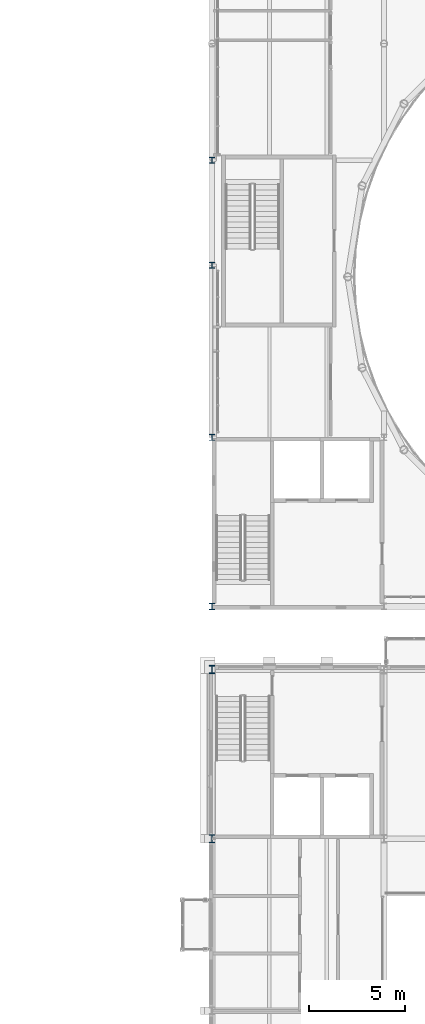
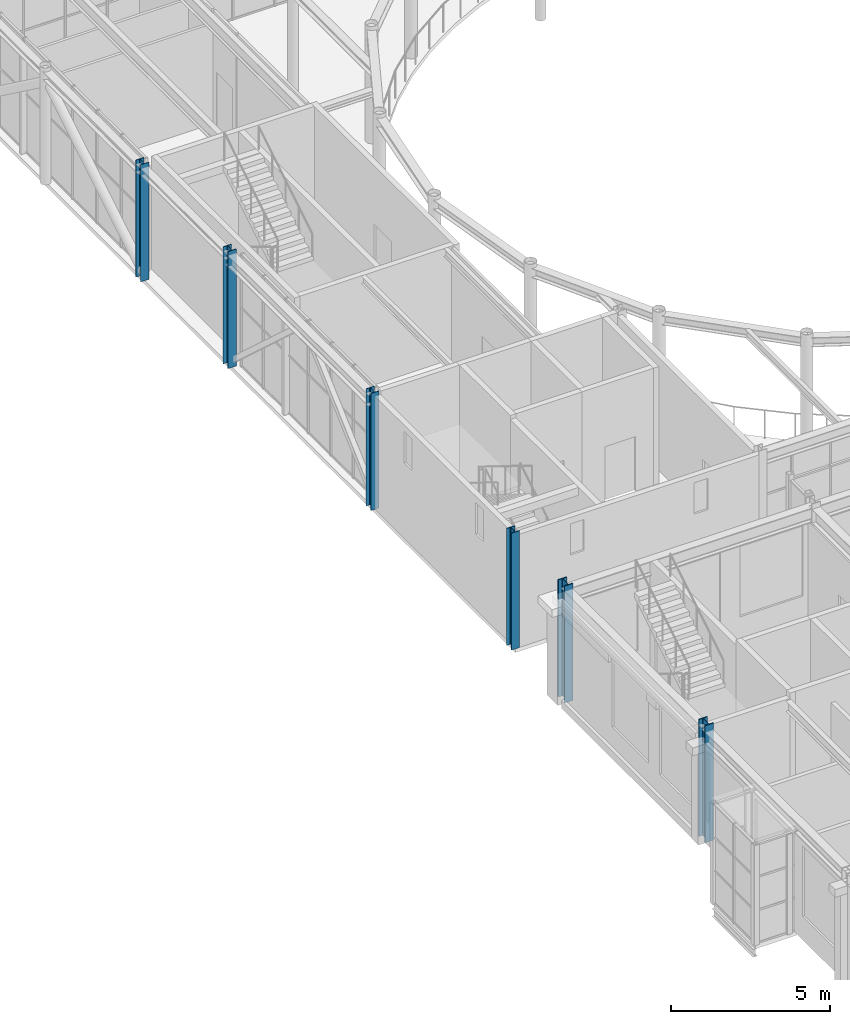
# One storey, part 6 of 111: 6 columns.
"""IFC4 building model written with IfcOpenShell, lengths in metres."""

from ifc_helpers import new_model, si_unit, direction, frame, origin, origin_2d, place, context, subcontext, project, spatial, i_section, extrude, material, material_profile, profile_set, type_object, element, save


model = new_model("IFC4")

# Units and contexts
model_context = context("Model", 3, precision=1e-05, world=origin(), true_north=direction((0.0, 1.0)))
body_context = subcontext(model_context, "Body", "Model", "MODEL_VIEW")
ifc_project = project(units=[si_unit("LENGTHUNIT", "METRE"), si_unit("AREAUNIT", "SQUARE_METRE"), si_unit("VOLUMEUNIT", "CUBIC_METRE"), si_unit("PLANEANGLEUNIT", "RADIAN"), si_unit("MASSUNIT", "GRAM", prefix="KILO")], contexts=[model_context])

# Site, building, storey
site_placement = place(None, origin())
site = spatial("IfcSite", under=ifc_project, at=site_placement, CompositionType="ELEMENT")
building_placement = place(site_placement, origin())
building = spatial("IfcBuilding", under=site, at=building_placement, Name="Kallimachos Central Library", CompositionType="ELEMENT")
storey_placement = place(building_placement, frame((0.0, 0.0, 14.39990234375)))
storey = spatial("IfcBuildingStorey", under=building, at=storey_placement, Name="L03", CompositionType="ELEMENT", Elevation=14.39990234375)

# Columns
ifc_material_1 = material(Name="Steel S355J2", Category="steel")
ifc_material_profile_1 = material_profile(ifc_material_1, i_section(OverallWidth=0.300048828125, OverallDepth=0.320068359375, WebThickness=0.011474609375, FlangeThickness=0.0205078125, FilletRadius=0.027099609375, at=origin_2d()), Name="HEB 320")
ifc_profile_set_1 = profile_set([ifc_material_profile_1], Name="Steel S355J2")
column_type_1 = type_object("IfcColumnType", Name="HEB 320 column", PredefinedType="COLUMN", material=ifc_profile_set_1)
for number, where, z_axis, x_axis, name in (
    (1, (65.5, 87.14990234375, 0.0), (0.0, 0.0, 1.0), (1.0, 0.0, 0.0), "V1-COL-L03-001"),
    (2, (65.5, 96.0, 0.0), (0.0, 0.0, 1.0), (1.0, 0.0, 0.0), "V1-COL-L03-007"),
    (3, (65.5, 105.0, 0.0), (0.0, 0.0, 1.0), (1.0, 0.0, 0.0), "V1-COL-L03-011"),
    (4, (65.5, 110.5, 0.0), (0.0, 0.0, 1.0), (1.0, 0.0, 0.0), "V1-COL-L03-013"),
):
    element("IfcColumn", number, at=place(storey_placement, frame(where, z_axis=z_axis, x_axis=x_axis)), inside=storey, type_object=column_type_1, Name=name, PredefinedType="COLUMN", context=body_context, shape_type="SweptSolid", body=[
        extrude(i_section(OverallWidth=0.300048828125, OverallDepth=0.320068359375, WebThickness=0.011474609375, FlangeThickness=0.0205078125, FilletRadius=0.027099609375, at=origin_2d()), origin(), (0.0, 0.0, 1.0), 4.5),
    ])
ifc_material_2 = material(Name="Steel S355J2", Category="steel")
ifc_material_profile_2 = material_profile(ifc_material_2, i_section(OverallWidth=0.306884765625, OverallDepth=0.431884765625, WebThickness=0.02099609375, FlangeThickness=0.0400390625, FilletRadius=0.027099609375, at=origin_2d()), Name="HEM 400")
ifc_profile_set_2 = profile_set([ifc_material_profile_2], Name="Steel S355J2")
column_type_2 = type_object("IfcColumnType", Name="HEM 400 column", PredefinedType="COLUMN", material=ifc_profile_set_2)
for number, where, z_axis, x_axis, name in (
    (5, (65.5, 75.0, 0.0), (0.0, 0.0, 1.0), (1.0, 0.0, 0.0), "V4-COL-L03-007"),
    (6, (65.5, 83.85009765625, 0.0), (0.0, 0.0, 1.0), (1.0, 0.0, 0.0), "V4-COL-L03-013"),
):
    element("IfcColumn", number, at=place(storey_placement, frame(where, z_axis=z_axis, x_axis=x_axis)), inside=storey, type_object=column_type_2, Name=name, PredefinedType="COLUMN", context=body_context, shape_type="SweptSolid", body=[
        extrude(i_section(OverallWidth=0.306884765625, OverallDepth=0.431884765625, WebThickness=0.02099609375, FlangeThickness=0.0400390625, FilletRadius=0.027099609375, at=origin_2d()), origin(), (0.0, 0.0, 1.0), 4.5),
    ])

save(model, "model.ifc")
